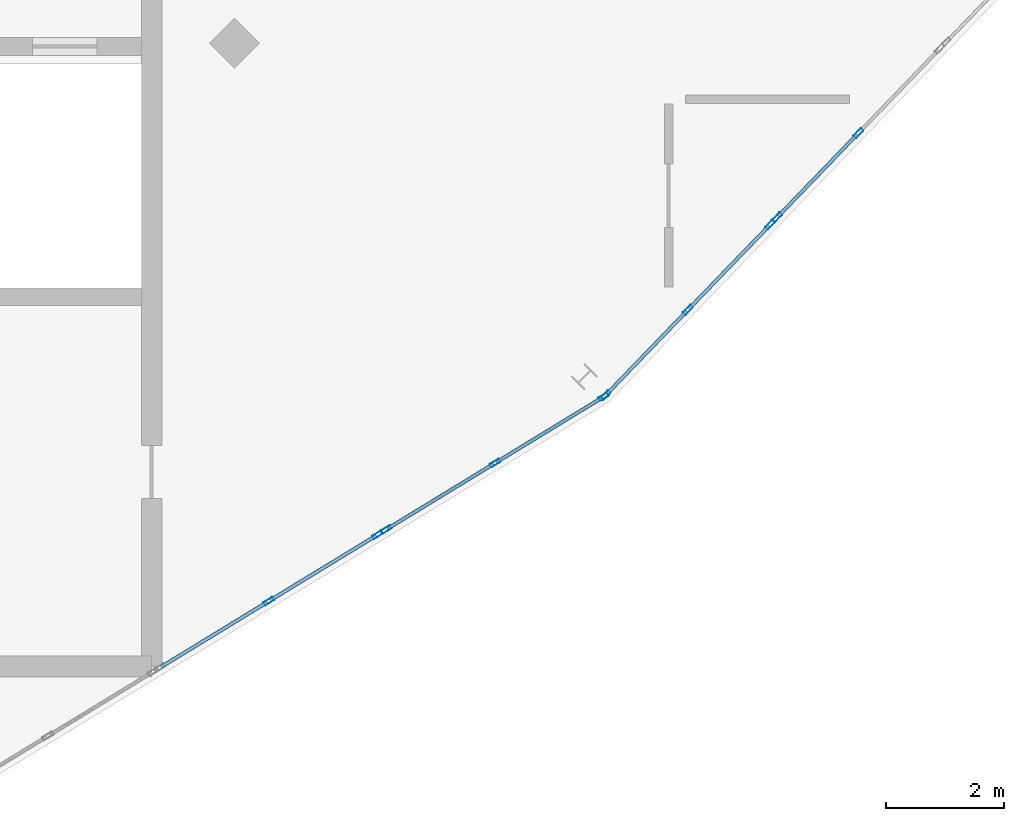
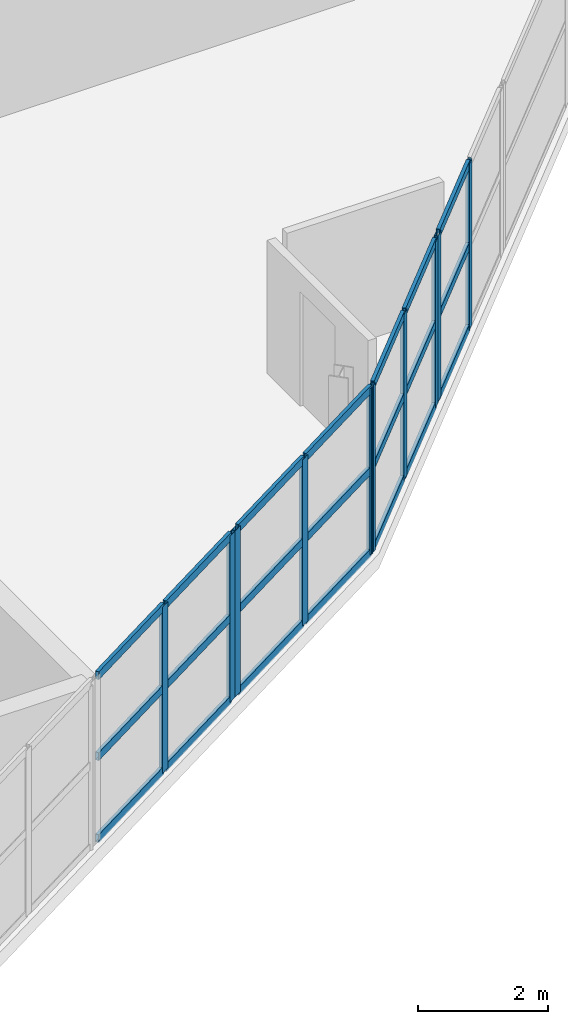
# One storey, part 20 of 35: 31 members, 4 elements without a shape of their own.
"""IFC4 building model written with IfcOpenShell, lengths in metres."""

from ifc_helpers import new_model, si_unit, direction, frame, origin, origin_2d, place, context, subcontext, project, spatial, hollow_rectangle, extrude, material, layer, layer_set, material_profile, profile_set, type_object, element, aggregate, save


model = new_model("IFC4")

# Units and contexts
model_context = context("Model", 3, precision=1e-05, world=origin(), true_north=direction((0.0, 1.0)))
body_context = subcontext(model_context, "Body", "Model", "MODEL_VIEW")
ifc_project = project(units=[si_unit("LENGTHUNIT", "METRE"), si_unit("AREAUNIT", "SQUARE_METRE"), si_unit("VOLUMEUNIT", "CUBIC_METRE"), si_unit("PLANEANGLEUNIT", "RADIAN"), si_unit("MASSUNIT", "GRAM", prefix="KILO")], contexts=[model_context])

# Site, building, storey
site_placement = place(None, origin())
site = spatial("IfcSite", under=ifc_project, at=site_placement, CompositionType="ELEMENT")
building_placement = place(site_placement, origin())
building = spatial("IfcBuilding", under=site, at=building_placement, Name="Kalgoora Escarpment Arena", CompositionType="ELEMENT")
storey_placement = place(building_placement, frame((0.0, 0.0, 23.39990234375)))
storey = spatial("IfcBuildingStorey", under=building, at=storey_placement, Name="L05", CompositionType="ELEMENT", Elevation=23.39990234375)

# Curtain wall, members
ifc_material_1 = material(Name=" Champagne anodised aluminium & double-glazed low-E", Category="aluminium")
ifc_layer_1 = layer(ifc_material_1, 0.154052734375)
ifc_layer_set_1 = layer_set([ifc_layer_1], Name="CW-UNIT-01")
curtain_wall_type_1 = type_object("IfcCurtainWallType", Name="CW-UNIT-01", PredefinedType="NOTDEFINED", material=ifc_layer_set_1)
curtain_wall_1_placement = place(storey_placement, origin())
curtain_wall_1 = element("IfcCurtainWall", 1, at=curtain_wall_1_placement, inside=storey, type_object=curtain_wall_type_1, Name="L05 unitised facade curtain wall 180", PredefinedType="NOTDEFINED")
ifc_material_2 = material(Name="Anodised aluminium 6063-T6", Category="aluminium")
ifc_material_profile_1 = material_profile(ifc_material_2, hollow_rectangle(XDim=0.06494140625, YDim=0.179931640625, WallThickness=0.00390625, at=origin_2d()))
ifc_profile_set_1 = profile_set([ifc_material_profile_1], Name="Anodised aluminium 6063-T6")
member_type_1 = type_object("IfcMemberType", Name="MEM-CW-MULL-180", PredefinedType="MULLION", material=ifc_profile_set_1)
member_1_placement = place(storey_placement, frame((147.82275390625, 27.827392578125, 0.02001953125), z_axis=(0.0, 0.0, 1.0), x_axis=(0.719777208849, -0.694205135116, 0.0)))
member_1 = element("IfcMember", 2, at=member_1_placement, type_object=member_type_1, Name="CW-01 mullion 2", PredefinedType="MULLION", context=body_context, shape_type="SweptSolid", body=[
    extrude(hollow_rectangle(XDim=0.06494140625, YDim=0.179931640625, WallThickness=0.00390625, at=origin_2d()), origin(), (0.0, 0.0, 1.0), 3.1201171875),
])
member_2_placement = place(storey_placement, frame((146.44189453125, 26.3955078125, 0.02001953125), z_axis=(0.0, 0.0, 1.0), x_axis=(0.719777208849, -0.694205135116, 0.0)))
member_2 = element("IfcMember", 3, at=member_2_placement, type_object=member_type_1, Name="CW-01 mullion 3", PredefinedType="MULLION", context=body_context, shape_type="SweptSolid", body=[
    extrude(hollow_rectangle(XDim=0.06494140625, YDim=0.179931640625, WallThickness=0.00390625, at=origin_2d()), origin(), (0.0, 0.0, 1.0), 3.1201171875),
])

ifc_material_3 = material(Name=" Champagne anodised aluminium & double-glazed low-E", Category="aluminium")
ifc_layer_2 = layer(ifc_material_3, 0.157958984375)
ifc_layer_set_2 = layer_set([ifc_layer_2], Name="CW-UNIT-02")
curtain_wall_type_2 = type_object("IfcCurtainWallType", Name="CW-UNIT-02", PredefinedType="NOTDEFINED", material=ifc_layer_set_2)
curtain_wall_2_placement = place(storey_placement, origin())
curtain_wall_2 = element("IfcCurtainWall", 4, at=curtain_wall_2_placement, inside=storey, type_object=curtain_wall_type_2, Name="L05 unitised facade curtain wall 181", PredefinedType="NOTDEFINED")
member_3_placement = place(storey_placement, frame((146.3271484375, 26.27685546875, 0.02001953125), z_axis=(0.0, 0.0, 1.0), x_axis=(0.719779772297, -0.69420247723, 0.0)))
member_3 = element("IfcMember", 5, at=member_3_placement, type_object=member_type_1, Name="CW-02 mullion 1", PredefinedType="MULLION", context=body_context, shape_type="SweptSolid", body=[
    extrude(hollow_rectangle(XDim=0.06494140625, YDim=0.179931640625, WallThickness=0.00390625, at=origin_2d()), origin(), (0.0, 0.0, 1.0), 3.1201171875),
])
member_4_placement = place(storey_placement, frame((144.928955078125, 24.8271484375, 0.02001953125), z_axis=(0.0, 0.0, 1.0), x_axis=(0.719779772297, -0.69420247723, 0.0)))
member_4 = element("IfcMember", 6, at=member_4_placement, type_object=member_type_1, Name="CW-02 mullion 2", PredefinedType="MULLION", context=body_context, shape_type="SweptSolid", body=[
    extrude(hollow_rectangle(XDim=0.06494140625, YDim=0.179931640625, WallThickness=0.00390625, at=origin_2d()), origin(), (0.0, 0.0, 1.0), 3.1201171875),
])
member_5_placement = place(storey_placement, frame((143.53076171875, 23.377197265625, 0.02001953125), z_axis=(0.0, 0.0, 1.0), x_axis=(0.719779772297, -0.69420247723, 0.0)))
member_5 = element("IfcMember", 7, at=member_5_placement, type_object=member_type_1, Name="CW-02 mullion 3", PredefinedType="MULLION", context=body_context, shape_type="SweptSolid", body=[
    extrude(hollow_rectangle(XDim=0.06494140625, YDim=0.179931640625, WallThickness=0.00390625, at=origin_2d()), origin(), (0.0, 0.0, 1.0), 3.1201171875),
])

ifc_material_4 = material(Name=" Champagne anodised aluminium & double-glazed low-E", Category="aluminium")
ifc_layer_3 = layer(ifc_material_4, 0.162109375)
ifc_layer_set_3 = layer_set([ifc_layer_3], Name="CW-UNIT-03")
curtain_wall_type_3 = type_object("IfcCurtainWallType", Name="CW-UNIT-03", PredefinedType="NOTDEFINED", material=ifc_layer_set_3)
curtain_wall_3_placement = place(storey_placement, origin())
curtain_wall_3 = element("IfcCurtainWall", 8, at=curtain_wall_3_placement, inside=storey, type_object=curtain_wall_type_3, Name="L05 unitised facade curtain wall 182", PredefinedType="NOTDEFINED")
member_6_placement = place(storey_placement, frame((143.504150390625, 23.35595703125, 0.02001953125), z_axis=(0.0, 0.0, 1.0), x_axis=(0.521039836105, -0.85353235978, 0.0)))
member_6 = element("IfcMember", 9, at=member_6_placement, type_object=member_type_1, Name="CW-03 mullion 1", PredefinedType="MULLION", context=body_context, shape_type="SweptSolid", body=[
    extrude(hollow_rectangle(XDim=0.06494140625, YDim=0.179931640625, WallThickness=0.00390625, at=origin_2d()), origin(), (0.0, 0.0, 1.0), 3.1201171875),
])
member_7_placement = place(storey_placement, frame((141.65478515625, 22.22705078125, 0.02001953125), z_axis=(0.0, 0.0, 1.0), x_axis=(0.521039836105, -0.85353235978, 0.0)))
member_7 = element("IfcMember", 10, at=member_7_placement, type_object=member_type_1, Name="CW-03 mullion 2", PredefinedType="MULLION", context=body_context, shape_type="SweptSolid", body=[
    extrude(hollow_rectangle(XDim=0.06494140625, YDim=0.179931640625, WallThickness=0.00390625, at=origin_2d()), origin(), (0.0, 0.0, 1.0), 3.1201171875),
])
member_8_placement = place(storey_placement, frame((139.80517578125, 21.097900390625, 0.02001953125), z_axis=(0.0, 0.0, 1.0), x_axis=(0.521039836105, -0.85353235978, 0.0)))
member_8 = element("IfcMember", 11, at=member_8_placement, type_object=member_type_1, Name="CW-03 mullion 3", PredefinedType="MULLION", context=body_context, shape_type="SweptSolid", body=[
    extrude(hollow_rectangle(XDim=0.06494140625, YDim=0.179931640625, WallThickness=0.00390625, at=origin_2d()), origin(), (0.0, 0.0, 1.0), 3.1201171875),
])

ifc_material_5 = material(Name=" Champagne anodised aluminium & double-glazed low-E", Category="aluminium")
ifc_layer_4 = layer(ifc_material_5, 0.166015625)
ifc_layer_set_4 = layer_set([ifc_layer_4], Name="CW-UNIT-04")
curtain_wall_type_4 = type_object("IfcCurtainWallType", Name="CW-UNIT-04", PredefinedType="NOTDEFINED", material=ifc_layer_set_4)
curtain_wall_4_placement = place(storey_placement, origin())
curtain_wall_4 = element("IfcCurtainWall", 12, at=curtain_wall_4_placement, inside=storey, type_object=curtain_wall_type_4, Name="L05 unitised facade curtain wall 183", PredefinedType="NOTDEFINED")
member_9_placement = place(storey_placement, frame((139.664306640625, 21.011962890625, 0.02001953125), z_axis=(0.0, 0.0, 1.0), x_axis=(0.52106650732, -0.853516077733, 0.0)))
member_9 = element("IfcMember", 13, at=member_9_placement, type_object=member_type_1, Name="CW-04 mullion 1", PredefinedType="MULLION", context=body_context, shape_type="SweptSolid", body=[
    extrude(hollow_rectangle(XDim=0.06494140625, YDim=0.179931640625, WallThickness=0.00390625, at=origin_2d()), origin(), (0.0, 0.0, 1.0), 3.1201171875),
])
member_10_placement = place(storey_placement, frame((137.814697265625, 19.8828125, 0.02001953125), z_axis=(0.0, 0.0, 1.0), x_axis=(0.52106650732, -0.853516077733, 0.0)))
member_10 = element("IfcMember", 14, at=member_10_placement, type_object=member_type_1, Name="CW-04 mullion 2", PredefinedType="MULLION", context=body_context, shape_type="SweptSolid", body=[
    extrude(hollow_rectangle(XDim=0.06494140625, YDim=0.179931640625, WallThickness=0.00390625, at=origin_2d()), origin(), (0.0, 0.0, 1.0), 3.1201171875),
])

# Member
ifc_material_6 = material(Name="Anodised aluminium 6063-T6", Category="aluminium")
ifc_material_profile_2 = material_profile(ifc_material_6, hollow_rectangle(XDim=0.06005859375, YDim=0.14990234375, WallThickness=0.00341796875, at=origin_2d()))
ifc_profile_set_2 = profile_set([ifc_material_profile_2], Name="Anodised aluminium 6063-T6")
member_type_2 = type_object("IfcMemberType", Name="MEM-CW-TRAN-150", PredefinedType="USERDEFINED", material=ifc_profile_set_2)
member_11_placement = place(storey_placement, frame((147.80029296875, 27.803955078125, 0.050048828125), z_axis=(-0.694241219535, -0.719742404683, 0.0), x_axis=(0.719742404683, -0.694241219535, 0.0)))
member_11 = element("IfcMember", 15, at=member_11_placement, type_object=member_type_2, Name="CW-01 transom 2.1", ObjectType="TRANSOM", PredefinedType="USERDEFINED", context=body_context, shape_type="SweptSolid", body=[
    extrude(hollow_rectangle(XDim=0.06005859375, YDim=0.14990234375, WallThickness=0.00341796875, at=origin_2d()), origin(), (0.0, 0.0, 1.0), 1.92431640625),
])

member_12_placement = place(storey_placement, frame((147.80029296875, 27.803955078125, 1.590087890625), z_axis=(-0.694241219535, -0.719742404683, 0.0), x_axis=(0.719742404683, -0.694241219535, 0.0)))
member_12 = element("IfcMember", 16, at=member_12_placement, type_object=member_type_2, Name="CW-01 transom 2.2", ObjectType="TRANSOM", PredefinedType="USERDEFINED", context=body_context, shape_type="SweptSolid", body=[
    extrude(hollow_rectangle(XDim=0.06005859375, YDim=0.14990234375, WallThickness=0.00341796875, at=origin_2d()), origin(), (0.0, 0.0, 1.0), 1.92431640625),
])

member_13_placement = place(storey_placement, frame((147.80029296875, 27.803955078125, 3.110107421875), z_axis=(-0.694241219535, -0.719742404683, 0.0), x_axis=(0.719742404683, -0.694241219535, 0.0)))
member_13 = element("IfcMember", 17, at=member_13_placement, type_object=member_type_2, Name="CW-01 transom 2.3", ObjectType="TRANSOM", PredefinedType="USERDEFINED", context=body_context, shape_type="SweptSolid", body=[
    extrude(hollow_rectangle(XDim=0.06005859375, YDim=0.14990234375, WallThickness=0.00341796875, at=origin_2d()), origin(), (0.0, 0.0, 1.0), 1.92431640625),
])

aggregate(curtain_wall_1, [member_1, member_2, member_11, member_12, member_13])

member_14_placement = place(storey_placement, frame((146.3046875, 26.25341796875, 0.050048828125), z_axis=(-0.694279271093, -0.719705699387, 0.0), x_axis=(0.719705699387, -0.694279271093, 0.0)))
member_14 = element("IfcMember", 18, at=member_14_placement, type_object=member_type_2, Name="CW-02 transom 1.1", ObjectType="TRANSOM", PredefinedType="USERDEFINED", context=body_context, shape_type="SweptSolid", body=[
    extrude(hollow_rectangle(XDim=0.06005859375, YDim=0.14990234375, WallThickness=0.00341796875, at=origin_2d()), origin(), (0.0, 0.0, 1.0), 1.94921875),
])

member_15_placement = place(storey_placement, frame((146.3046875, 26.25341796875, 1.590087890625), z_axis=(-0.694279271093, -0.719705699387, 0.0), x_axis=(0.719705699387, -0.694279271093, 0.0)))
member_15 = element("IfcMember", 19, at=member_15_placement, type_object=member_type_2, Name="CW-02 transom 1.2", ObjectType="TRANSOM", PredefinedType="USERDEFINED", context=body_context, shape_type="SweptSolid", body=[
    extrude(hollow_rectangle(XDim=0.06005859375, YDim=0.14990234375, WallThickness=0.00341796875, at=origin_2d()), origin(), (0.0, 0.0, 1.0), 1.94921875),
])

member_16_placement = place(storey_placement, frame((146.3046875, 26.25341796875, 3.110107421875), z_axis=(-0.694279271093, -0.719705699387, 0.0), x_axis=(0.719705699387, -0.694279271093, 0.0)))
member_16 = element("IfcMember", 20, at=member_16_placement, type_object=member_type_2, Name="CW-02 transom 1.3", ObjectType="TRANSOM", PredefinedType="USERDEFINED", context=body_context, shape_type="SweptSolid", body=[
    extrude(hollow_rectangle(XDim=0.06005859375, YDim=0.14990234375, WallThickness=0.00341796875, at=origin_2d()), origin(), (0.0, 0.0, 1.0), 1.94921875),
])

member_17_placement = place(storey_placement, frame((144.906494140625, 24.8037109375, 0.050048828125), z_axis=(-0.694216687928, -0.719766066304, 0.0), x_axis=(0.719766066304, -0.694216687928, 0.0)))
member_17 = element("IfcMember", 21, at=member_17_placement, type_object=member_type_2, Name="CW-02 transom 2.1", ObjectType="TRANSOM", PredefinedType="USERDEFINED", context=body_context, shape_type="SweptSolid", body=[
    extrude(hollow_rectangle(XDim=0.06005859375, YDim=0.14990234375, WallThickness=0.00341796875, at=origin_2d()), origin(), (0.0, 0.0, 1.0), 1.949462890625),
])

member_18_placement = place(storey_placement, frame((144.906494140625, 24.8037109375, 1.590087890625), z_axis=(-0.694216687928, -0.719766066304, 0.0), x_axis=(0.719766066304, -0.694216687928, 0.0)))
member_18 = element("IfcMember", 22, at=member_18_placement, type_object=member_type_2, Name="CW-02 transom 2.2", ObjectType="TRANSOM", PredefinedType="USERDEFINED", context=body_context, shape_type="SweptSolid", body=[
    extrude(hollow_rectangle(XDim=0.06005859375, YDim=0.14990234375, WallThickness=0.00341796875, at=origin_2d()), origin(), (0.0, 0.0, 1.0), 1.949462890625),
])

member_19_placement = place(storey_placement, frame((144.906494140625, 24.8037109375, 3.110107421875), z_axis=(-0.694216687928, -0.719766066304, 0.0), x_axis=(0.719766066304, -0.694216687928, 0.0)))
member_19 = element("IfcMember", 23, at=member_19_placement, type_object=member_type_2, Name="CW-02 transom 2.3", ObjectType="TRANSOM", PredefinedType="USERDEFINED", context=body_context, shape_type="SweptSolid", body=[
    extrude(hollow_rectangle(XDim=0.06005859375, YDim=0.14990234375, WallThickness=0.00341796875, at=origin_2d()), origin(), (0.0, 0.0, 1.0), 1.949462890625),
])

aggregate(curtain_wall_2, [member_3, member_4, member_5, member_14, member_15, member_16, member_17, member_18, member_19])

member_20_placement = place(storey_placement, frame((143.4765625, 23.339111328125, 0.050048828125), z_axis=(-0.853542985528, -0.521022429321, 0.0), x_axis=(0.521022429321, -0.853542985528, 0.0)))
member_20 = element("IfcMember", 24, at=member_20_placement, type_object=member_type_2, Name="CW-03 transom 1.1", ObjectType="TRANSOM", PredefinedType="USERDEFINED", context=body_context, shape_type="SweptSolid", body=[
    extrude(hollow_rectangle(XDim=0.06005859375, YDim=0.14990234375, WallThickness=0.00341796875, at=origin_2d()), origin(), (0.0, 0.0, 1.0), 2.10205078125),
])

member_21_placement = place(storey_placement, frame((143.4765625, 23.339111328125, 1.590087890625), z_axis=(-0.853542985528, -0.521022429321, 0.0), x_axis=(0.521022429321, -0.853542985528, 0.0)))
member_21 = element("IfcMember", 25, at=member_21_placement, type_object=member_type_2, Name="CW-03 transom 1.2", ObjectType="TRANSOM", PredefinedType="USERDEFINED", context=body_context, shape_type="SweptSolid", body=[
    extrude(hollow_rectangle(XDim=0.06005859375, YDim=0.14990234375, WallThickness=0.00341796875, at=origin_2d()), origin(), (0.0, 0.0, 1.0), 2.10205078125),
])

member_22_placement = place(storey_placement, frame((143.4765625, 23.339111328125, 3.110107421875), z_axis=(-0.853542985528, -0.521022429321, 0.0), x_axis=(0.521022429321, -0.853542985528, 0.0)))
member_22 = element("IfcMember", 26, at=member_22_placement, type_object=member_type_2, Name="CW-03 transom 1.3", ObjectType="TRANSOM", PredefinedType="USERDEFINED", context=body_context, shape_type="SweptSolid", body=[
    extrude(hollow_rectangle(XDim=0.06005859375, YDim=0.14990234375, WallThickness=0.00341796875, at=origin_2d()), origin(), (0.0, 0.0, 1.0), 2.10205078125),
])

member_23_placement = place(storey_placement, frame((141.626953125, 22.2099609375, 0.050048828125), z_axis=(-0.853542985528, -0.521022429321, 0.0), x_axis=(0.521022429321, -0.853542985528, 0.0)))
member_23 = element("IfcMember", 27, at=member_23_placement, type_object=member_type_2, Name="CW-03 transom 2.1", ObjectType="TRANSOM", PredefinedType="USERDEFINED", context=body_context, shape_type="SweptSolid", body=[
    extrude(hollow_rectangle(XDim=0.06005859375, YDim=0.14990234375, WallThickness=0.00341796875, at=origin_2d()), origin(), (0.0, 0.0, 1.0), 2.10205078125),
])

member_24_placement = place(storey_placement, frame((141.626953125, 22.2099609375, 1.590087890625), z_axis=(-0.853542985528, -0.521022429321, 0.0), x_axis=(0.521022429321, -0.853542985528, 0.0)))
member_24 = element("IfcMember", 28, at=member_24_placement, type_object=member_type_2, Name="CW-03 transom 2.2", ObjectType="TRANSOM", PredefinedType="USERDEFINED", context=body_context, shape_type="SweptSolid", body=[
    extrude(hollow_rectangle(XDim=0.06005859375, YDim=0.14990234375, WallThickness=0.00341796875, at=origin_2d()), origin(), (0.0, 0.0, 1.0), 2.10205078125),
])

member_25_placement = place(storey_placement, frame((141.626953125, 22.2099609375, 3.110107421875), z_axis=(-0.853542985528, -0.521022429321, 0.0), x_axis=(0.521022429321, -0.853542985528, 0.0)))
member_25 = element("IfcMember", 29, at=member_25_placement, type_object=member_type_2, Name="CW-03 transom 2.3", ObjectType="TRANSOM", PredefinedType="USERDEFINED", context=body_context, shape_type="SweptSolid", body=[
    extrude(hollow_rectangle(XDim=0.06005859375, YDim=0.14990234375, WallThickness=0.00341796875, at=origin_2d()), origin(), (0.0, 0.0, 1.0), 2.10205078125),
])

aggregate(curtain_wall_3, [member_6, member_7, member_8, member_20, member_21, member_22, member_23, member_24, member_25])

member_26_placement = place(storey_placement, frame((139.636474609375, 20.9951171875, 0.050048828125), z_axis=(-0.853511451854, -0.521074084515, 0.0), x_axis=(0.521074084515, -0.853511451854, 0.0)))
member_26 = element("IfcMember", 30, at=member_26_placement, type_object=member_type_2, Name="CW-04 transom 1.1", ObjectType="TRANSOM", PredefinedType="USERDEFINED", context=body_context, shape_type="SweptSolid", body=[
    extrude(hollow_rectangle(XDim=0.06005859375, YDim=0.14990234375, WallThickness=0.00341796875, at=origin_2d()), origin(), (0.0, 0.0, 1.0), 2.101806640625),
])

member_27_placement = place(storey_placement, frame((139.636474609375, 20.9951171875, 1.590087890625), z_axis=(-0.853511451854, -0.521074084515, 0.0), x_axis=(0.521074084515, -0.853511451854, 0.0)))
member_27 = element("IfcMember", 31, at=member_27_placement, type_object=member_type_2, Name="CW-04 transom 1.2", ObjectType="TRANSOM", PredefinedType="USERDEFINED", context=body_context, shape_type="SweptSolid", body=[
    extrude(hollow_rectangle(XDim=0.06005859375, YDim=0.14990234375, WallThickness=0.00341796875, at=origin_2d()), origin(), (0.0, 0.0, 1.0), 2.101806640625),
])

member_28_placement = place(storey_placement, frame((139.636474609375, 20.9951171875, 3.110107421875), z_axis=(-0.853511451854, -0.521074084515, 0.0), x_axis=(0.521074084515, -0.853511451854, 0.0)))
member_28 = element("IfcMember", 32, at=member_28_placement, type_object=member_type_2, Name="CW-04 transom 1.3", ObjectType="TRANSOM", PredefinedType="USERDEFINED", context=body_context, shape_type="SweptSolid", body=[
    extrude(hollow_rectangle(XDim=0.06005859375, YDim=0.14990234375, WallThickness=0.00341796875, at=origin_2d()), origin(), (0.0, 0.0, 1.0), 2.101806640625),
])

member_29_placement = place(storey_placement, frame((137.787109375, 19.865966796875, 0.050048828125), z_axis=(-0.853542985528, -0.521022429321, 0.0), x_axis=(0.521022429321, -0.853542985528, 0.0)))
member_29 = element("IfcMember", 33, at=member_29_placement, type_object=member_type_2, Name="CW-04 transom 2.1", ObjectType="TRANSOM", PredefinedType="USERDEFINED", context=body_context, shape_type="SweptSolid", body=[
    extrude(hollow_rectangle(XDim=0.06005859375, YDim=0.14990234375, WallThickness=0.00341796875, at=origin_2d()), origin(), (0.0, 0.0, 1.0), 2.10205078125),
])

member_30_placement = place(storey_placement, frame((137.787109375, 19.865966796875, 1.590087890625), z_axis=(-0.853542985528, -0.521022429321, 0.0), x_axis=(0.521022429321, -0.853542985528, 0.0)))
member_30 = element("IfcMember", 34, at=member_30_placement, type_object=member_type_2, Name="CW-04 transom 2.2", ObjectType="TRANSOM", PredefinedType="USERDEFINED", context=body_context, shape_type="SweptSolid", body=[
    extrude(hollow_rectangle(XDim=0.06005859375, YDim=0.14990234375, WallThickness=0.00341796875, at=origin_2d()), origin(), (0.0, 0.0, 1.0), 2.10205078125),
])

member_31_placement = place(storey_placement, frame((137.787109375, 19.865966796875, 3.110107421875), z_axis=(-0.853542985528, -0.521022429321, 0.0), x_axis=(0.521022429321, -0.853542985528, 0.0)))
member_31 = element("IfcMember", 35, at=member_31_placement, type_object=member_type_2, Name="CW-04 transom 2.3", ObjectType="TRANSOM", PredefinedType="USERDEFINED", context=body_context, shape_type="SweptSolid", body=[
    extrude(hollow_rectangle(XDim=0.06005859375, YDim=0.14990234375, WallThickness=0.00341796875, at=origin_2d()), origin(), (0.0, 0.0, 1.0), 2.10205078125),
])

aggregate(curtain_wall_4, [member_9, member_10, member_26, member_27, member_28, member_29, member_30, member_31])

save(model, "model.ifc")
